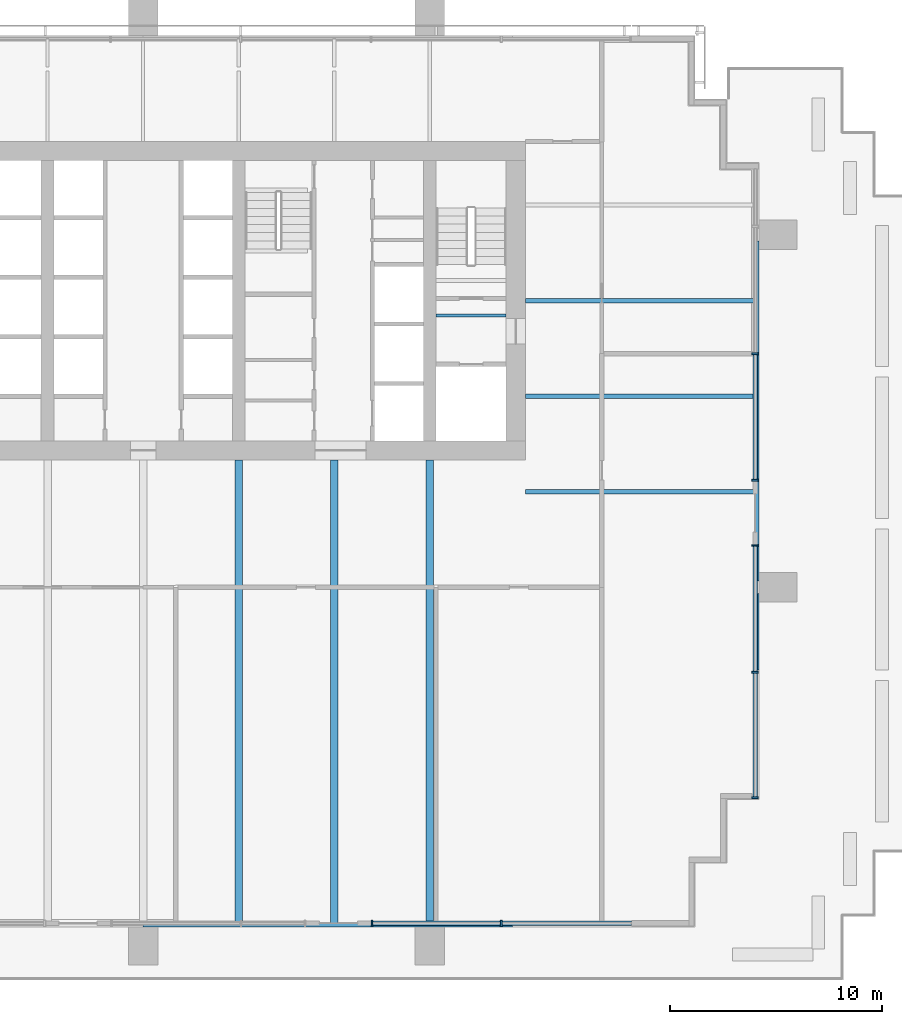
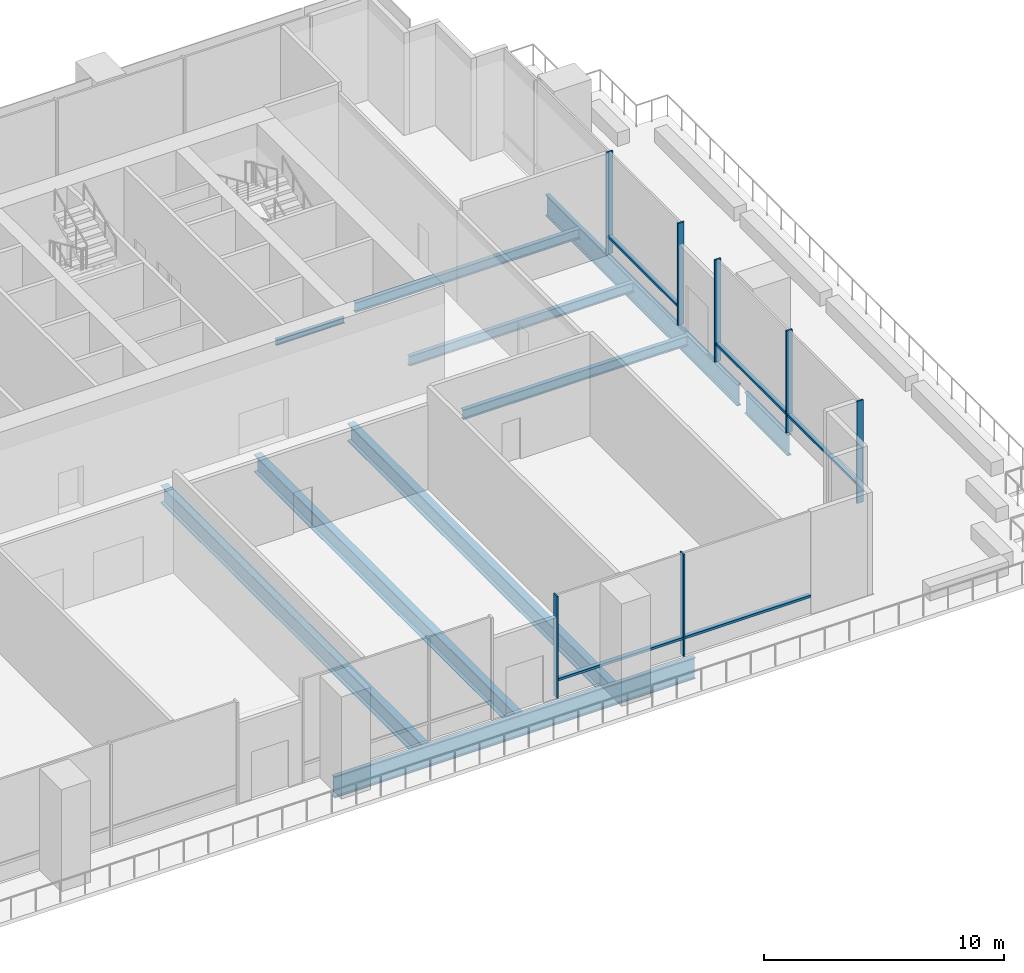
# One storey, part 3 of 14: 12 members, 10 beams, 3 elements without a shape of their own.
"""IFC4 building model written with IfcOpenShell, lengths in metres."""

from ifc_helpers import new_model, si_unit, direction, frame, origin, origin_2d, place, context, subcontext, project, spatial, rectangle, i_section, extrude, material, layer, layer_set, material_profile, profile_set, type_object, element, aggregate, save


model = new_model("IFC4")

# Units and contexts
model_context = context("Model", 3, precision=1e-05, world=origin(), true_north=direction((0.0, 1.0)))
body_context = subcontext(model_context, "Body", "Model", "MODEL_VIEW")
ifc_project = project(units=[si_unit("LENGTHUNIT", "METRE"), si_unit("AREAUNIT", "SQUARE_METRE"), si_unit("VOLUMEUNIT", "CUBIC_METRE"), si_unit("PLANEANGLEUNIT", "RADIAN"), si_unit("MASSUNIT", "GRAM", prefix="KILO")], contexts=[model_context])

# Site, building, storey
site_placement = place(None, origin())
site = spatial("IfcSite", under=ifc_project, at=site_placement, CompositionType="ELEMENT")
building_placement = place(site_placement, origin())
building = spatial("IfcBuilding", under=site, at=building_placement, Name="Rattan Terrace Tower", CompositionType="ELEMENT")
storey_placement = place(building_placement, frame((0.0, 0.0, 120.699951171875)))
storey = spatial("IfcBuildingStorey", under=building, at=storey_placement, Name="L27", CompositionType="ELEMENT", Elevation=120.699951171875)

# Beams
ifc_material_1 = material(Name="Steel S460", Category="steel")
ifc_material_profile_1 = material_profile(ifc_material_1, i_section(OverallWidth=0.179931640625, OverallDepth=1.10009765625, WebThickness=0.01611328125, FlangeThickness=0.050048828125, at=origin_2d()), Name="PG 1100x180-16-50")
ifc_profile_set_1 = profile_set([ifc_material_profile_1], Name="Steel S460")
beam_type_1 = type_object("IfcBeamType", Name="Frame edge girder PG 1100x180-16-50", PredefinedType="SPANDREL", material=ifc_profile_set_1)
beam_1_placement = place(storey_placement, frame((17.39990234375, -29.409912109375, -0.75), z_axis=(-1.0, 0.0, 0.0), x_axis=(0.0, -1.0, 0.0)))
element("IfcBeam", 1, at=beam_1_placement, inside=storey, type_object=beam_type_1, Name="gdr-L27-002", PredefinedType="SPANDREL", context=body_context, shape_type="SweptSolid", body=[
    extrude(i_section(OverallWidth=0.179931640625, OverallDepth=1.10009765625, WebThickness=0.01611328125, FlangeThickness=0.050048828125, at=origin_2d()), origin(), (0.0, 0.0, 1.0), 17.39990234375),
])
beam_2_placement = place(storey_placement, frame((28.909912109375, -13.800048828125, -0.75), z_axis=(0.0, -1.0, 0.0), x_axis=(1.0, 0.0, 0.0)))
element("IfcBeam", 2, at=beam_2_placement, inside=storey, type_object=beam_type_1, Name="gdr-L27-004", PredefinedType="SPANDREL", context=body_context, shape_type="SweptSolid", body=[
    extrude(i_section(OverallWidth=0.179931640625, OverallDepth=1.10009765625, WebThickness=0.01611328125, FlangeThickness=0.050048828125, at=origin_2d()), origin(), (0.0, 0.0, 1.0), 3.599853515625),
])
beam_3_placement = place(storey_placement, frame((28.909912109375, -13.199951171875, -0.75), z_axis=(0.0, 1.0, 0.0), x_axis=(-1.0, 0.0, 0.0)))
element("IfcBeam", 3, at=beam_3_placement, inside=storey, type_object=beam_type_1, Name="gdr-L27-005", PredefinedType="SPANDREL", context=body_context, shape_type="SweptSolid", body=[
    extrude(i_section(OverallWidth=0.179931640625, OverallDepth=1.10009765625, WebThickness=0.01611328125, FlangeThickness=0.050048828125, at=origin_2d()), origin(), (0.0, 0.0, 1.0), 16.0),
])
ifc_material_2 = material(Name="Steel S355", Category="steel")
ifc_material_profile_2 = material_profile(ifc_material_2, i_section(OverallWidth=0.14990234375, OverallDepth=0.300048828125, WebThickness=0.007080078125, FlangeThickness=0.0107421875, FilletRadius=0.014892578125, at=origin_2d()), Name="IPE 300")
ifc_profile_set_2 = profile_set([ifc_material_profile_2], Name="Steel S355")
beam_type_2 = type_object("IfcBeamType", Name="Frame floor beam IPE 300", PredefinedType="JOIST", material=ifc_profile_set_2)
beam_4_placement = place(storey_placement, frame((13.800048828125, -0.695068359375, -0.349853515625), z_axis=(1.0, 0.0, 0.0), x_axis=(0.0, 1.0, 0.0)))
element("IfcBeam", 4, at=beam_4_placement, inside=storey, type_object=beam_type_2, Name="bm-L27-002", PredefinedType="JOIST", context=body_context, shape_type="SweptSolid", body=[
    extrude(i_section(OverallWidth=0.14990234375, OverallDepth=0.300048828125, WebThickness=0.007080078125, FlangeThickness=0.0107421875, FilletRadius=0.014892578125, at=origin_2d()), origin(), (0.0, 0.0, 1.0), 3.300048828125),
])
ifc_material_3 = material(Name="Steel S355", Category="steel")
ifc_material_profile_3 = material_profile(ifc_material_3, i_section(OverallWidth=0.199951171875, OverallDepth=0.5, WebThickness=0.01025390625, FlangeThickness=0.01611328125, FilletRadius=0.02099609375, at=origin_2d()), Name="IPE 500")
ifc_profile_set_3 = profile_set([ifc_material_profile_3], Name="Steel S355")
beam_type_3 = type_object("IfcBeamType", Name="Frame floor beam IPE 500", PredefinedType="JOIST", material=ifc_profile_set_3)
for number, where, z_axis, x_axis, name in (
    (5, (18.0, -9.0, -0.449951171875), (1.0, 0.0, 0.0), (0.0, 1.0, 0.0), "bm-L27-011"),
    (6, (18.0, -4.5, -0.449951171875), (1.0, 0.0, 0.0), (0.0, 1.0, 0.0), "bm-L27-014"),
    (7, (18.0, 0.0, -0.449951171875), (1.0, 0.0, 0.0), (0.0, 1.0, 0.0), "bm-L27-017"),
):
    element("IfcBeam", number, at=place(storey_placement, frame(where, z_axis=z_axis, x_axis=x_axis)), inside=storey, type_object=beam_type_3, Name=name, PredefinedType="JOIST", context=body_context, shape_type="SweptSolid", body=[
        extrude(i_section(OverallWidth=0.199951171875, OverallDepth=0.5, WebThickness=0.01025390625, FlangeThickness=0.01611328125, FilletRadius=0.02099609375, at=origin_2d()), origin(), (0.0, 0.0, 1.0), 10.820068359375),
    ])
ifc_material_4 = material(Name="Steel S460", Category="steel")
ifc_material_profile_4 = material_profile(ifc_material_4, i_section(OverallWidth=0.35009765625, OverallDepth=0.89990234375, WebThickness=0.013916015625, FlangeThickness=0.0400390625, at=origin_2d()), Name="PG 900x350-14-40")
ifc_profile_set_4 = profile_set([ifc_material_profile_4], Name="Steel S460")
beam_type_4 = type_object("IfcBeamType", Name="Frame floor beam PG 900x350-14-40", PredefinedType="JOIST", material=ifc_profile_set_4)
for number, where, z_axis, x_axis, name in (
    (8, (4.5, -29.320068359375, -0.64990234375), (0.0, 1.0, 0.0), (-1.0, 0.0, 0.0), "bm-L27-007"),
    (9, (9.0, -29.320068359375, -0.64990234375), (0.0, 1.0, 0.0), (-1.0, 0.0, 0.0), "bm-L27-008"),
    (10, (13.5, -29.320068359375, -0.64990234375), (0.0, 1.0, 0.0), (-1.0, 0.0, 0.0), "bm-L27-009"),
):
    element("IfcBeam", number, at=place(storey_placement, frame(where, z_axis=z_axis, x_axis=x_axis)), inside=storey, type_object=beam_type_4, Name=name, PredefinedType="JOIST", context=body_context, shape_type="SweptSolid", body=[
        extrude(i_section(OverallWidth=0.35009765625, OverallDepth=0.89990234375, WebThickness=0.013916015625, FlangeThickness=0.0400390625, at=origin_2d()), origin(), (0.0, 0.0, 1.0), 21.820068359375),
    ])

# Curtain wall, members
ifc_material_5 = material(Name="Steel fins, aluminium and glass", Category="steel")
ifc_layer = layer(ifc_material_5, 0.300048828125)
ifc_layer_set = layer_set([ifc_layer], Name="Sky Lobby Stick Curtain Wall")
curtain_wall_type = type_object("IfcCurtainWallType", Name="Sky Lobby Stick Curtain Wall", PredefinedType="NOTDEFINED", material=ifc_layer_set)
curtain_wall_1_placement = place(storey_placement, origin())
curtain_wall_1 = element("IfcCurtainWall", 11, at=curtain_wall_1_placement, inside=storey, type_object=curtain_wall_type, Name="Sky lobby curtain wall L27-1", PredefinedType="NOTDEFINED")
ifc_material_6 = material(Name="Steel S355", Category="steel")
ifc_material_profile_5 = material_profile(ifc_material_6, rectangle(XDim=0.080078125, YDim=0.300048828125, at=origin_2d()), Name="Steel S355 80x300")
ifc_profile_set_5 = profile_set([ifc_material_profile_5], Name="Steel S355")
member_type_1 = type_object("IfcMemberType", Name="Sky Lobby CW Fin 80x300", PredefinedType="MULLION", material=ifc_profile_set_5)
member_1_placement = place(storey_placement, frame((28.830078125, -23.4150390625, 0.0), z_axis=(0.0, 0.0, 1.0), x_axis=(0.0, 1.0, 0.0)))
member_1 = element("IfcMember", 12, at=member_1_placement, type_object=member_type_1, Name="Mullion cwl-L27-001.1", PredefinedType="MULLION", context=body_context, shape_type="SweptSolid", body=[
    extrude(rectangle(XDim=0.080078125, YDim=0.300048828125, at=origin_2d()), origin(), (0.0, 0.0, 1.0), 5.199951171875),
])
member_2_placement = place(storey_placement, frame((28.830078125, -17.5, 0.0), z_axis=(0.0, 0.0, 1.0), x_axis=(0.0, 1.0, 0.0)))
member_2 = element("IfcMember", 13, at=member_2_placement, type_object=member_type_1, Name="Mullion cwl-L27-001.2", PredefinedType="MULLION", context=body_context, shape_type="SweptSolid", body=[
    extrude(rectangle(XDim=0.080078125, YDim=0.300048828125, at=origin_2d()), origin(), (0.0, 0.0, 1.0), 5.199951171875),
])
member_3_placement = place(storey_placement, frame((28.830078125, -11.5400390625, 0.0), z_axis=(0.0, 0.0, 1.0), x_axis=(0.0, 1.0, 0.0)))
member_3 = element("IfcMember", 14, at=member_3_placement, type_object=member_type_1, Name="Mullion cwl-L27-001.3", PredefinedType="MULLION", context=body_context, shape_type="SweptSolid", body=[
    extrude(rectangle(XDim=0.080078125, YDim=0.300048828125, at=origin_2d()), origin(), (0.0, 0.0, 1.0), 5.199951171875),
])

curtain_wall_2_placement = place(storey_placement, origin())
curtain_wall_2 = element("IfcCurtainWall", 15, at=curtain_wall_2_placement, inside=storey, type_object=curtain_wall_type, Name="Sky lobby curtain wall L27-2", PredefinedType="NOTDEFINED")
member_4_placement = place(storey_placement, frame((28.830078125, -8.4599609375, 0.0), z_axis=(0.0, 0.0, 1.0), x_axis=(0.0, 1.0, 0.0)))
member_4 = element("IfcMember", 16, at=member_4_placement, type_object=member_type_1, Name="Mullion cwl-L27-002.1", PredefinedType="MULLION", context=body_context, shape_type="SweptSolid", body=[
    extrude(rectangle(XDim=0.080078125, YDim=0.300048828125, at=origin_2d()), origin(), (0.0, 0.0, 1.0), 5.199951171875),
])
member_5_placement = place(storey_placement, frame((28.830078125, -2.5, 0.0), z_axis=(0.0, 0.0, 1.0), x_axis=(0.0, 1.0, 0.0)))
member_5 = element("IfcMember", 17, at=member_5_placement, type_object=member_type_1, Name="Mullion cwl-L27-002.2", PredefinedType="MULLION", context=body_context, shape_type="SweptSolid", body=[
    extrude(rectangle(XDim=0.080078125, YDim=0.300048828125, at=origin_2d()), origin(), (0.0, 0.0, 1.0), 5.199951171875),
])

curtain_wall_3_placement = place(storey_placement, origin())
curtain_wall_3 = element("IfcCurtainWall", 18, at=curtain_wall_3_placement, inside=storey, type_object=curtain_wall_type, Name="Sky lobby curtain wall L27-8", PredefinedType="NOTDEFINED")
member_6_placement = place(storey_placement, frame((10.777099609375, -29.330078125, 0.0), z_axis=(0.0, 0.0, 1.0), x_axis=(1.0, 0.0, 0.0)))
member_6 = element("IfcMember", 19, at=member_6_placement, type_object=member_type_1, Name="Mullion cwl-L27-008.1", PredefinedType="MULLION", context=body_context, shape_type="SweptSolid", body=[
    extrude(rectangle(XDim=0.080078125, YDim=0.300048828125, at=origin_2d()), origin(), (0.0, 0.0, 1.0), 5.199951171875),
])
member_7_placement = place(storey_placement, frame((16.87109375, -29.330078125, 0.0), z_axis=(0.0, 0.0, 1.0), x_axis=(1.0, 0.0, 0.0)))
member_7 = element("IfcMember", 20, at=member_7_placement, type_object=member_type_1, Name="Mullion cwl-L27-008.2", PredefinedType="MULLION", context=body_context, shape_type="SweptSolid", body=[
    extrude(rectangle(XDim=0.080078125, YDim=0.300048828125, at=origin_2d()), origin(), (0.0, 0.0, 1.0), 5.199951171875),
])

# Member
ifc_material_7 = material(Name="Aluminium", Category="aluminium")
ifc_material_profile_6 = material_profile(ifc_material_7, rectangle(XDim=0.199951171875, YDim=0.1201171875, at=origin_2d()), Name="Aluminium 200x120")
ifc_profile_set_6 = profile_set([ifc_material_profile_6], Name="Aluminium")
member_type_2 = type_object("IfcMemberType", Name="Sky Lobby CW Transom 200x120", PredefinedType="USERDEFINED", material=ifc_profile_set_6)
member_8_placement = place(storey_placement, frame((28.830078125, -23.375, 0.900146484375), z_axis=(0.0, 1.0, 0.0), x_axis=(-1.0, 0.0, 0.0)))
member_8 = element("IfcMember", 21, at=member_8_placement, type_object=member_type_2, Name="Transom cwl-L27-001.1", ObjectType="TRANSOM", PredefinedType="USERDEFINED", context=body_context, shape_type="SweptSolid", body=[
    extrude(rectangle(XDim=0.199951171875, YDim=0.1201171875, at=origin_2d()), origin(), (0.0, 0.0, 1.0), 5.8349609375),
])

member_9_placement = place(storey_placement, frame((28.830078125, -17.4599609375, 0.900146484375), z_axis=(0.0, 1.0, 0.0), x_axis=(-1.0, 0.0, 0.0)))
member_9 = element("IfcMember", 22, at=member_9_placement, type_object=member_type_2, Name="Transom cwl-L27-001.2", ObjectType="TRANSOM", PredefinedType="USERDEFINED", context=body_context, shape_type="SweptSolid", body=[
    extrude(rectangle(XDim=0.199951171875, YDim=0.1201171875, at=origin_2d()), origin(), (0.0, 0.0, 1.0), 5.8798828125),
])

aggregate(curtain_wall_1, [member_1, member_2, member_3, member_8, member_9])

member_10_placement = place(storey_placement, frame((28.830078125, -8.419921875, 0.900146484375), z_axis=(0.0, 1.0, 0.0), x_axis=(-1.0, 0.0, 0.0)))
member_10 = element("IfcMember", 23, at=member_10_placement, type_object=member_type_2, Name="Transom cwl-L27-002.1", ObjectType="TRANSOM", PredefinedType="USERDEFINED", context=body_context, shape_type="SweptSolid", body=[
    extrude(rectangle(XDim=0.199951171875, YDim=0.1201171875, at=origin_2d()), origin(), (0.0, 0.0, 1.0), 5.8798828125),
])

aggregate(curtain_wall_2, [member_4, member_5, member_10])

member_11_placement = place(storey_placement, frame((10.81689453125, -29.330078125, 0.900146484375), z_axis=(1.0, 0.0, 0.0), x_axis=(0.0, 1.0, 0.0)))
member_11 = element("IfcMember", 24, at=member_11_placement, type_object=member_type_2, Name="Transom cwl-L27-008.1", ObjectType="TRANSOM", PredefinedType="USERDEFINED", context=body_context, shape_type="SweptSolid", body=[
    extrude(rectangle(XDim=0.199951171875, YDim=0.1201171875, at=origin_2d()), origin(), (0.0, 0.0, 1.0), 6.01416015625),
])

member_12_placement = place(storey_placement, frame((16.910888671875, -29.330078125, 0.900146484375), z_axis=(1.0, 0.0, 0.0), x_axis=(0.0, 1.0, 0.0)))
member_12 = element("IfcMember", 25, at=member_12_placement, type_object=member_type_2, Name="Transom cwl-L27-008.2", ObjectType="TRANSOM", PredefinedType="USERDEFINED", context=body_context, shape_type="SweptSolid", body=[
    extrude(rectangle(XDim=0.199951171875, YDim=0.1201171875, at=origin_2d()), origin(), (0.0, 0.0, 1.0), 6.089111328125),
])

aggregate(curtain_wall_3, [member_6, member_7, member_11, member_12])

save(model, "model.ifc")
